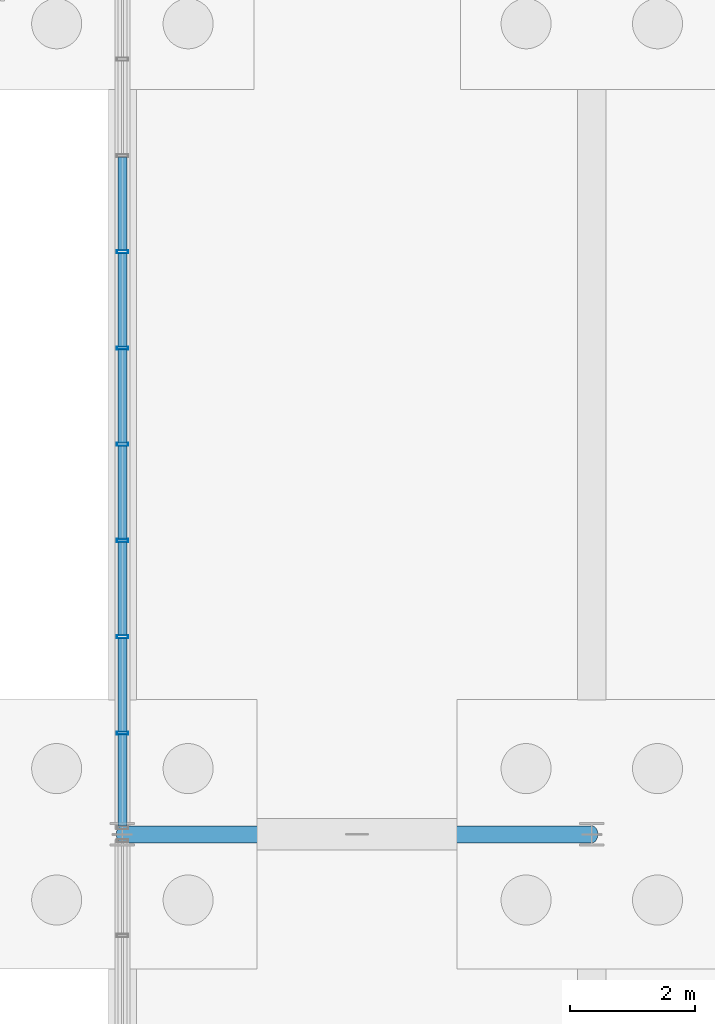
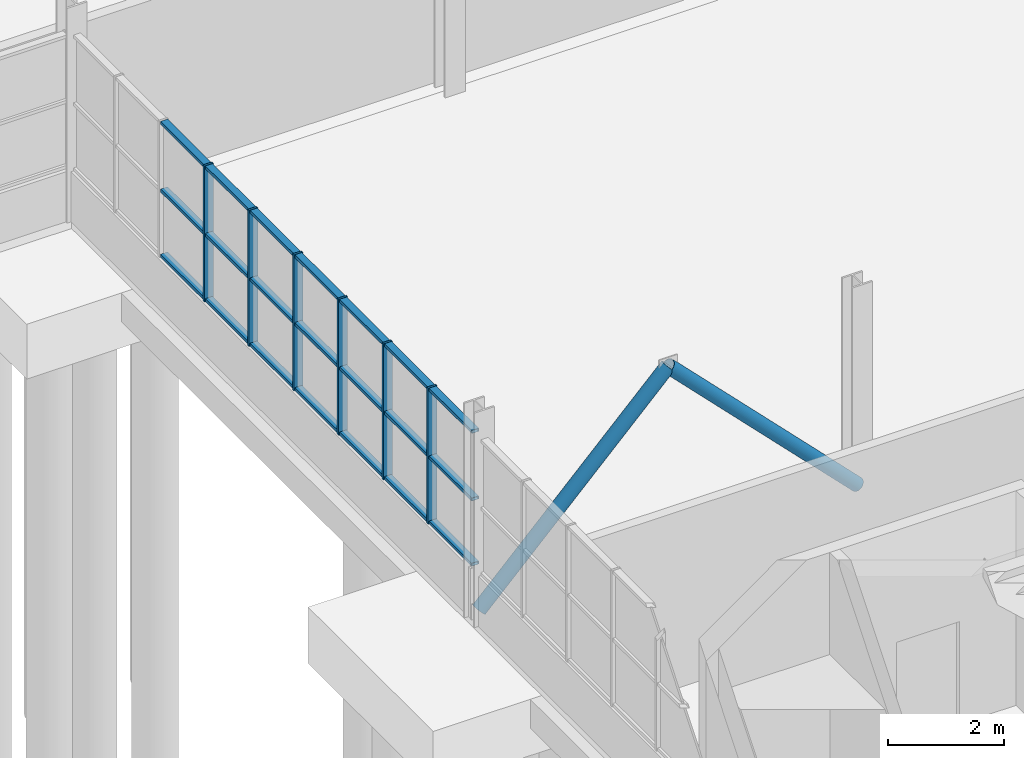
# One storey, part 44 of 136: 29 members, 1 element without a shape of its own.
"""IFC4 building model written with IfcOpenShell, lengths in metres."""

from ifc_helpers import new_model, si_unit, direction, frame, origin, origin_2d, place, context, subcontext, project, spatial, hollow_rectangle, hollow_circle, extrude, material, layer, layer_set, material_profile, profile_set, type_object, element, aggregate, save


model = new_model("IFC4")

# Units and contexts
model_context = context("Model", 3, precision=1e-05, world=origin(), true_north=direction((0.0, 1.0)))
body_context = subcontext(model_context, "Body", "Model", "MODEL_VIEW")
ifc_project = project(units=[si_unit("LENGTHUNIT", "METRE"), si_unit("AREAUNIT", "SQUARE_METRE"), si_unit("VOLUMEUNIT", "CUBIC_METRE"), si_unit("PLANEANGLEUNIT", "RADIAN"), si_unit("MASSUNIT", "GRAM", prefix="KILO")], contexts=[model_context])

# Site, building, storey
site_placement = place(None, origin())
site = spatial("IfcSite", under=ifc_project, at=site_placement, CompositionType="ELEMENT")
building_placement = place(site_placement, origin())
building = spatial("IfcBuilding", under=site, at=building_placement, Name="Solvenia Promenade Tram Depot", CompositionType="ELEMENT")
storey_placement = place(building_placement, origin())
storey = spatial("IfcBuildingStorey", under=building, at=storey_placement, Name="L00", CompositionType="ELEMENT", Elevation=0.0)

# Members
ifc_material_1 = material(Name="Structural steel ASTM A500 Gr. C", Category="steel")
ifc_material_profile_1 = material_profile(ifc_material_1, hollow_circle(Radius=0.136474609375, WallThickness=0.010009765625, at=origin_2d()), Name="CHS273.0x10", Category="steel")
ifc_profile_set_1 = profile_set([ifc_material_profile_1], Name="Structural steel ASTM A500 Gr. C")
member_type_1 = type_object("IfcMemberType", Name="Brace-CHS273x10", PredefinedType="BRACE", material=ifc_profile_set_1)
for number, where, z_axis, x_axis, name in (
    (1, (105.0, 52.0, 0.199951171875), (0.702403979413, 0.0, 0.711778511691), (0.0, 1.0, 0.0), "PAC-DES Chevron Brace 07L"),
    (2, (112.5, 52.0, 0.199951171875), (-0.702403979413, 0.0, 0.711778511691), (0.0, -1.0, 0.0), "PAC-DES Chevron Brace 07R"),
):
    element("IfcMember", number, at=place(storey_placement, frame(where, z_axis=z_axis, x_axis=x_axis)), inside=storey, type_object=member_type_1, Name=name, PredefinedType="BRACE", context=body_context, shape_type="SweptSolid", body=[
        extrude(hollow_circle(Radius=0.136474609375, WallThickness=0.010009765625, at=origin_2d()), origin(), (0.0, 0.0, 1.0), 5.3388671875),
    ])

# Curtain wall, members
ifc_material_2 = material(Name="Anodized aluminium AW-6063 T6", Category="aluminium")
ifc_layer = layer(ifc_material_2, 0.14990234375, Name="Anodized aluminium AW-6063 T6", Category="aluminium")
ifc_layer_set = layer_set([ifc_layer], Name="Anodized aluminium AW-6063 T6")
curtain_wall_type = type_object("IfcCurtainWallType", Name="CW-Court-1500", PredefinedType="NOTDEFINED", material=ifc_layer_set)
curtain_wall_placement = place(storey_placement, origin())
curtain_wall = element("IfcCurtainWall", 3, at=curtain_wall_placement, inside=storey, type_object=curtain_wall_type, Name="Curtain Wall CW-V2W-L0-2", PredefinedType="NOTDEFINED")
ifc_material_profile_2 = material_profile(ifc_material_2, hollow_rectangle(XDim=0.179931640625, YDim=0.050048828125, WallThickness=0.00390625, at=origin_2d()), Name="ALU-M2", Category="aluminium")
ifc_profile_set_2 = profile_set([ifc_material_profile_2], Name="Anodized aluminium AW-6063 T6")
member_type_2 = type_object("IfcMemberType", Name="CWM-Mullion-2", PredefinedType="MULLION", material=ifc_profile_set_2)
member_1_placement = place(storey_placement, frame((105.0, 53.61767578125, 1.050048828125), z_axis=(0.0, 0.0, 1.0), x_axis=(-1.0, 0.0, 0.0)))
member_1 = element("IfcMember", 4, at=member_1_placement, type_object=member_type_2, Name="CW-5 mullion 2", PredefinedType="MULLION", context=body_context, shape_type="SweptSolid", body=[
    extrude(hollow_rectangle(XDim=0.179931640625, YDim=0.050048828125, WallThickness=0.00390625, at=origin_2d()), origin(), (0.0, 0.0, 1.0), 2.849853515625),
])
member_2_placement = place(storey_placement, frame((105.0, 55.155517578125, 1.050048828125), z_axis=(0.0, 0.0, 1.0), x_axis=(-1.0, 0.0, 0.0)))
member_2 = element("IfcMember", 5, at=member_2_placement, type_object=member_type_2, Name="CW-5 mullion 3", PredefinedType="MULLION", context=body_context, shape_type="SweptSolid", body=[
    extrude(hollow_rectangle(XDim=0.179931640625, YDim=0.050048828125, WallThickness=0.00390625, at=origin_2d()), origin(), (0.0, 0.0, 1.0), 2.849853515625),
])
member_3_placement = place(storey_placement, frame((105.0, 56.693359375, 1.050048828125), z_axis=(0.0, 0.0, 1.0), x_axis=(-1.0, 0.0, 0.0)))
member_3 = element("IfcMember", 6, at=member_3_placement, type_object=member_type_2, Name="CW-5 mullion 4", PredefinedType="MULLION", context=body_context, shape_type="SweptSolid", body=[
    extrude(hollow_rectangle(XDim=0.179931640625, YDim=0.050048828125, WallThickness=0.00390625, at=origin_2d()), origin(), (0.0, 0.0, 1.0), 2.849853515625),
])
member_4_placement = place(storey_placement, frame((105.0, 58.231201171875, 1.050048828125), z_axis=(0.0, 0.0, 1.0), x_axis=(-1.0, 0.0, 0.0)))
member_4 = element("IfcMember", 7, at=member_4_placement, type_object=member_type_2, Name="CW-5 mullion 5", PredefinedType="MULLION", context=body_context, shape_type="SweptSolid", body=[
    extrude(hollow_rectangle(XDim=0.179931640625, YDim=0.050048828125, WallThickness=0.00390625, at=origin_2d()), origin(), (0.0, 0.0, 1.0), 2.849853515625),
])
member_5_placement = place(storey_placement, frame((105.0, 59.768798828125, 1.050048828125), z_axis=(0.0, 0.0, 1.0), x_axis=(-1.0, 0.0, 0.0)))
member_5 = element("IfcMember", 8, at=member_5_placement, type_object=member_type_2, Name="CW-5 mullion 6", PredefinedType="MULLION", context=body_context, shape_type="SweptSolid", body=[
    extrude(hollow_rectangle(XDim=0.179931640625, YDim=0.050048828125, WallThickness=0.00390625, at=origin_2d()), origin(), (0.0, 0.0, 1.0), 2.849853515625),
])
member_6_placement = place(storey_placement, frame((105.0, 61.306640625, 1.050048828125), z_axis=(0.0, 0.0, 1.0), x_axis=(-1.0, 0.0, 0.0)))
member_6 = element("IfcMember", 9, at=member_6_placement, type_object=member_type_2, Name="CW-5 mullion 7", PredefinedType="MULLION", context=body_context, shape_type="SweptSolid", body=[
    extrude(hollow_rectangle(XDim=0.179931640625, YDim=0.050048828125, WallThickness=0.00390625, at=origin_2d()), origin(), (0.0, 0.0, 1.0), 2.849853515625),
])
ifc_material_profile_3 = material_profile(ifc_material_2, hollow_rectangle(XDim=0.139892578125, YDim=0.06494140625, WallThickness=0.00390625, at=origin_2d()), Name="ALU-T2", Category="aluminium")
ifc_profile_set_3 = profile_set([ifc_material_profile_3], Name="Anodized aluminium AW-6063 T6")
member_type_3 = type_object("IfcMemberType", Name="CWT-Transom-2", PredefinedType="USERDEFINED", material=ifc_profile_set_3)
member_7_placement = place(storey_placement, frame((105.0, 52.1298828125, 1.08251953125), z_axis=(0.0, 1.0, 0.0), x_axis=(-1.0, 0.0, 0.0)))
member_7 = element("IfcMember", 10, at=member_7_placement, type_object=member_type_3, Name="CW-5 transom 1.1", ObjectType="TRANSOM", PredefinedType="USERDEFINED", context=body_context, shape_type="SweptSolid", body=[
    extrude(hollow_rectangle(XDim=0.139892578125, YDim=0.06494140625, WallThickness=0.00390625, at=origin_2d()), origin(), (0.0, 0.0, 1.0), 1.462890625),
])
member_8_placement = place(storey_placement, frame((105.0, 52.1298828125, 2.449951171875), z_axis=(0.0, 1.0, 0.0), x_axis=(-1.0, 0.0, 0.0)))
member_8 = element("IfcMember", 11, at=member_8_placement, type_object=member_type_3, Name="CW-5 transom 1.2", ObjectType="TRANSOM", PredefinedType="USERDEFINED", context=body_context, shape_type="SweptSolid", body=[
    extrude(hollow_rectangle(XDim=0.139892578125, YDim=0.06494140625, WallThickness=0.00390625, at=origin_2d()), origin(), (0.0, 0.0, 1.0), 1.462890625),
])
member_9_placement = place(storey_placement, frame((105.0, 52.1298828125, 3.867431640625), z_axis=(0.0, 1.0, 0.0), x_axis=(-1.0, 0.0, 0.0)))
member_9 = element("IfcMember", 12, at=member_9_placement, type_object=member_type_3, Name="CW-5 transom 1.3", ObjectType="TRANSOM", PredefinedType="USERDEFINED", context=body_context, shape_type="SweptSolid", body=[
    extrude(hollow_rectangle(XDim=0.139892578125, YDim=0.06494140625, WallThickness=0.00390625, at=origin_2d()), origin(), (0.0, 0.0, 1.0), 1.462890625),
])
member_10_placement = place(storey_placement, frame((105.0, 53.642822265625, 1.08251953125), z_axis=(0.0, 1.0, 0.0), x_axis=(-1.0, 0.0, 0.0)))
member_10 = element("IfcMember", 13, at=member_10_placement, type_object=member_type_3, Name="CW-5 transom 2.1", ObjectType="TRANSOM", PredefinedType="USERDEFINED", context=body_context, shape_type="SweptSolid", body=[
    extrude(hollow_rectangle(XDim=0.139892578125, YDim=0.06494140625, WallThickness=0.00390625, at=origin_2d()), origin(), (0.0, 0.0, 1.0), 1.48779296875),
])
member_11_placement = place(storey_placement, frame((105.0, 53.642822265625, 2.449951171875), z_axis=(0.0, 1.0, 0.0), x_axis=(-1.0, 0.0, 0.0)))
member_11 = element("IfcMember", 14, at=member_11_placement, type_object=member_type_3, Name="CW-5 transom 2.2", ObjectType="TRANSOM", PredefinedType="USERDEFINED", context=body_context, shape_type="SweptSolid", body=[
    extrude(hollow_rectangle(XDim=0.139892578125, YDim=0.06494140625, WallThickness=0.00390625, at=origin_2d()), origin(), (0.0, 0.0, 1.0), 1.48779296875),
])
member_12_placement = place(storey_placement, frame((105.0, 53.642822265625, 3.867431640625), z_axis=(0.0, 1.0, 0.0), x_axis=(-1.0, 0.0, 0.0)))
member_12 = element("IfcMember", 15, at=member_12_placement, type_object=member_type_3, Name="CW-5 transom 2.3", ObjectType="TRANSOM", PredefinedType="USERDEFINED", context=body_context, shape_type="SweptSolid", body=[
    extrude(hollow_rectangle(XDim=0.139892578125, YDim=0.06494140625, WallThickness=0.00390625, at=origin_2d()), origin(), (0.0, 0.0, 1.0), 1.48779296875),
])
member_13_placement = place(storey_placement, frame((105.0, 55.1806640625, 1.08251953125), z_axis=(0.0, 1.0, 0.0), x_axis=(-1.0, 0.0, 0.0)))
member_13 = element("IfcMember", 16, at=member_13_placement, type_object=member_type_3, Name="CW-5 transom 3.1", ObjectType="TRANSOM", PredefinedType="USERDEFINED", context=body_context, shape_type="SweptSolid", body=[
    extrude(hollow_rectangle(XDim=0.139892578125, YDim=0.06494140625, WallThickness=0.00390625, at=origin_2d()), origin(), (0.0, 0.0, 1.0), 1.487548828125),
])
member_14_placement = place(storey_placement, frame((105.0, 55.1806640625, 2.449951171875), z_axis=(0.0, 1.0, 0.0), x_axis=(-1.0, 0.0, 0.0)))
member_14 = element("IfcMember", 17, at=member_14_placement, type_object=member_type_3, Name="CW-5 transom 3.2", ObjectType="TRANSOM", PredefinedType="USERDEFINED", context=body_context, shape_type="SweptSolid", body=[
    extrude(hollow_rectangle(XDim=0.139892578125, YDim=0.06494140625, WallThickness=0.00390625, at=origin_2d()), origin(), (0.0, 0.0, 1.0), 1.487548828125),
])
member_15_placement = place(storey_placement, frame((105.0, 55.1806640625, 3.867431640625), z_axis=(0.0, 1.0, 0.0), x_axis=(-1.0, 0.0, 0.0)))
member_15 = element("IfcMember", 18, at=member_15_placement, type_object=member_type_3, Name="CW-5 transom 3.3", ObjectType="TRANSOM", PredefinedType="USERDEFINED", context=body_context, shape_type="SweptSolid", body=[
    extrude(hollow_rectangle(XDim=0.139892578125, YDim=0.06494140625, WallThickness=0.00390625, at=origin_2d()), origin(), (0.0, 0.0, 1.0), 1.487548828125),
])
member_16_placement = place(storey_placement, frame((105.0, 56.71826171875, 1.08251953125), z_axis=(0.0, 1.0, 0.0), x_axis=(-1.0, 0.0, 0.0)))
member_16 = element("IfcMember", 19, at=member_16_placement, type_object=member_type_3, Name="CW-5 transom 4.1", ObjectType="TRANSOM", PredefinedType="USERDEFINED", context=body_context, shape_type="SweptSolid", body=[
    extrude(hollow_rectangle(XDim=0.139892578125, YDim=0.06494140625, WallThickness=0.00390625, at=origin_2d()), origin(), (0.0, 0.0, 1.0), 1.48779296875),
])
member_17_placement = place(storey_placement, frame((105.0, 56.71826171875, 2.449951171875), z_axis=(0.0, 1.0, 0.0), x_axis=(-1.0, 0.0, 0.0)))
member_17 = element("IfcMember", 20, at=member_17_placement, type_object=member_type_3, Name="CW-5 transom 4.2", ObjectType="TRANSOM", PredefinedType="USERDEFINED", context=body_context, shape_type="SweptSolid", body=[
    extrude(hollow_rectangle(XDim=0.139892578125, YDim=0.06494140625, WallThickness=0.00390625, at=origin_2d()), origin(), (0.0, 0.0, 1.0), 1.48779296875),
])
member_18_placement = place(storey_placement, frame((105.0, 56.71826171875, 3.867431640625), z_axis=(0.0, 1.0, 0.0), x_axis=(-1.0, 0.0, 0.0)))
member_18 = element("IfcMember", 21, at=member_18_placement, type_object=member_type_3, Name="CW-5 transom 4.3", ObjectType="TRANSOM", PredefinedType="USERDEFINED", context=body_context, shape_type="SweptSolid", body=[
    extrude(hollow_rectangle(XDim=0.139892578125, YDim=0.06494140625, WallThickness=0.00390625, at=origin_2d()), origin(), (0.0, 0.0, 1.0), 1.48779296875),
])
member_19_placement = place(storey_placement, frame((105.0, 58.256103515625, 1.08251953125), z_axis=(0.0, 1.0, 0.0), x_axis=(-1.0, 0.0, 0.0)))
member_19 = element("IfcMember", 22, at=member_19_placement, type_object=member_type_3, Name="CW-5 transom 5.1", ObjectType="TRANSOM", PredefinedType="USERDEFINED", context=body_context, shape_type="SweptSolid", body=[
    extrude(hollow_rectangle(XDim=0.139892578125, YDim=0.06494140625, WallThickness=0.00390625, at=origin_2d()), origin(), (0.0, 0.0, 1.0), 1.48779296875),
])
member_20_placement = place(storey_placement, frame((105.0, 58.256103515625, 2.449951171875), z_axis=(0.0, 1.0, 0.0), x_axis=(-1.0, 0.0, 0.0)))
member_20 = element("IfcMember", 23, at=member_20_placement, type_object=member_type_3, Name="CW-5 transom 5.2", ObjectType="TRANSOM", PredefinedType="USERDEFINED", context=body_context, shape_type="SweptSolid", body=[
    extrude(hollow_rectangle(XDim=0.139892578125, YDim=0.06494140625, WallThickness=0.00390625, at=origin_2d()), origin(), (0.0, 0.0, 1.0), 1.48779296875),
])
member_21_placement = place(storey_placement, frame((105.0, 58.256103515625, 3.867431640625), z_axis=(0.0, 1.0, 0.0), x_axis=(-1.0, 0.0, 0.0)))
member_21 = element("IfcMember", 24, at=member_21_placement, type_object=member_type_3, Name="CW-5 transom 5.3", ObjectType="TRANSOM", PredefinedType="USERDEFINED", context=body_context, shape_type="SweptSolid", body=[
    extrude(hollow_rectangle(XDim=0.139892578125, YDim=0.06494140625, WallThickness=0.00390625, at=origin_2d()), origin(), (0.0, 0.0, 1.0), 1.48779296875),
])
member_22_placement = place(storey_placement, frame((105.0, 59.7939453125, 1.08251953125), z_axis=(0.0, 1.0, 0.0), x_axis=(-1.0, 0.0, 0.0)))
member_22 = element("IfcMember", 25, at=member_22_placement, type_object=member_type_3, Name="CW-5 transom 6.1", ObjectType="TRANSOM", PredefinedType="USERDEFINED", context=body_context, shape_type="SweptSolid", body=[
    extrude(hollow_rectangle(XDim=0.139892578125, YDim=0.06494140625, WallThickness=0.00390625, at=origin_2d()), origin(), (0.0, 0.0, 1.0), 1.48779296875),
])
member_23_placement = place(storey_placement, frame((105.0, 59.7939453125, 2.449951171875), z_axis=(0.0, 1.0, 0.0), x_axis=(-1.0, 0.0, 0.0)))
member_23 = element("IfcMember", 26, at=member_23_placement, type_object=member_type_3, Name="CW-5 transom 6.2", ObjectType="TRANSOM", PredefinedType="USERDEFINED", context=body_context, shape_type="SweptSolid", body=[
    extrude(hollow_rectangle(XDim=0.139892578125, YDim=0.06494140625, WallThickness=0.00390625, at=origin_2d()), origin(), (0.0, 0.0, 1.0), 1.48779296875),
])
member_24_placement = place(storey_placement, frame((105.0, 59.7939453125, 3.867431640625), z_axis=(0.0, 1.0, 0.0), x_axis=(-1.0, 0.0, 0.0)))
member_24 = element("IfcMember", 27, at=member_24_placement, type_object=member_type_3, Name="CW-5 transom 6.3", ObjectType="TRANSOM", PredefinedType="USERDEFINED", context=body_context, shape_type="SweptSolid", body=[
    extrude(hollow_rectangle(XDim=0.139892578125, YDim=0.06494140625, WallThickness=0.00390625, at=origin_2d()), origin(), (0.0, 0.0, 1.0), 1.48779296875),
])
member_25_placement = place(storey_placement, frame((105.0, 61.331787109375, 1.08251953125), z_axis=(0.0, 1.0, 0.0), x_axis=(-1.0, 0.0, 0.0)))
member_25 = element("IfcMember", 28, at=member_25_placement, type_object=member_type_3, Name="CW-5 transom 7.1", ObjectType="TRANSOM", PredefinedType="USERDEFINED", context=body_context, shape_type="SweptSolid", body=[
    extrude(hollow_rectangle(XDim=0.139892578125, YDim=0.06494140625, WallThickness=0.00390625, at=origin_2d()), origin(), (0.0, 0.0, 1.0), 1.487548828125),
])
member_26_placement = place(storey_placement, frame((105.0, 61.331787109375, 2.449951171875), z_axis=(0.0, 1.0, 0.0), x_axis=(-1.0, 0.0, 0.0)))
member_26 = element("IfcMember", 29, at=member_26_placement, type_object=member_type_3, Name="CW-5 transom 7.2", ObjectType="TRANSOM", PredefinedType="USERDEFINED", context=body_context, shape_type="SweptSolid", body=[
    extrude(hollow_rectangle(XDim=0.139892578125, YDim=0.06494140625, WallThickness=0.00390625, at=origin_2d()), origin(), (0.0, 0.0, 1.0), 1.487548828125),
])
member_27_placement = place(storey_placement, frame((105.0, 61.331787109375, 3.867431640625), z_axis=(0.0, 1.0, 0.0), x_axis=(-1.0, 0.0, 0.0)))
member_27 = element("IfcMember", 30, at=member_27_placement, type_object=member_type_3, Name="CW-5 transom 7.3", ObjectType="TRANSOM", PredefinedType="USERDEFINED", context=body_context, shape_type="SweptSolid", body=[
    extrude(hollow_rectangle(XDim=0.139892578125, YDim=0.06494140625, WallThickness=0.00390625, at=origin_2d()), origin(), (0.0, 0.0, 1.0), 1.487548828125),
])
aggregate(curtain_wall, [member_1, member_2, member_3, member_4, member_5, member_6, member_7, member_8, member_9, member_10, member_11, member_12, member_13, member_14, member_15, member_16, member_17, member_18, member_19, member_20, member_21, member_22, member_23, member_24, member_25, member_26, member_27])

save(model, "model.ifc")
